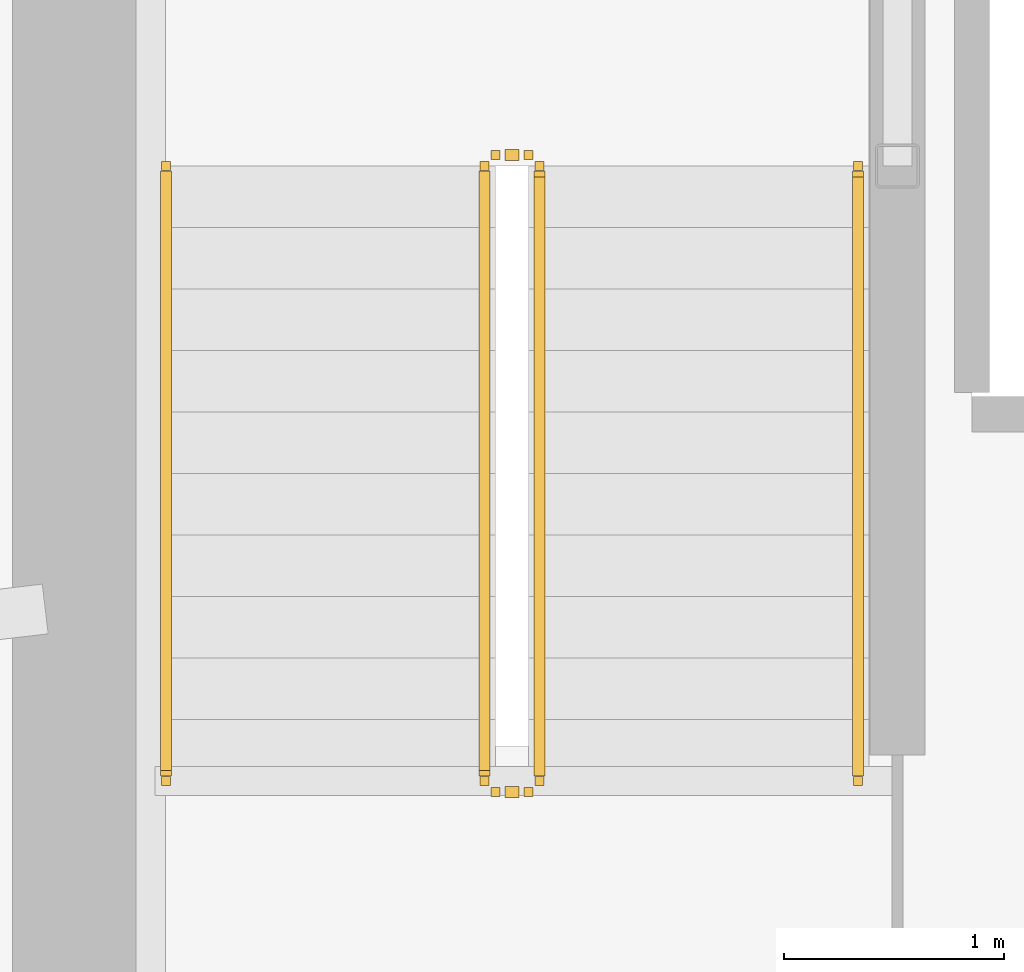
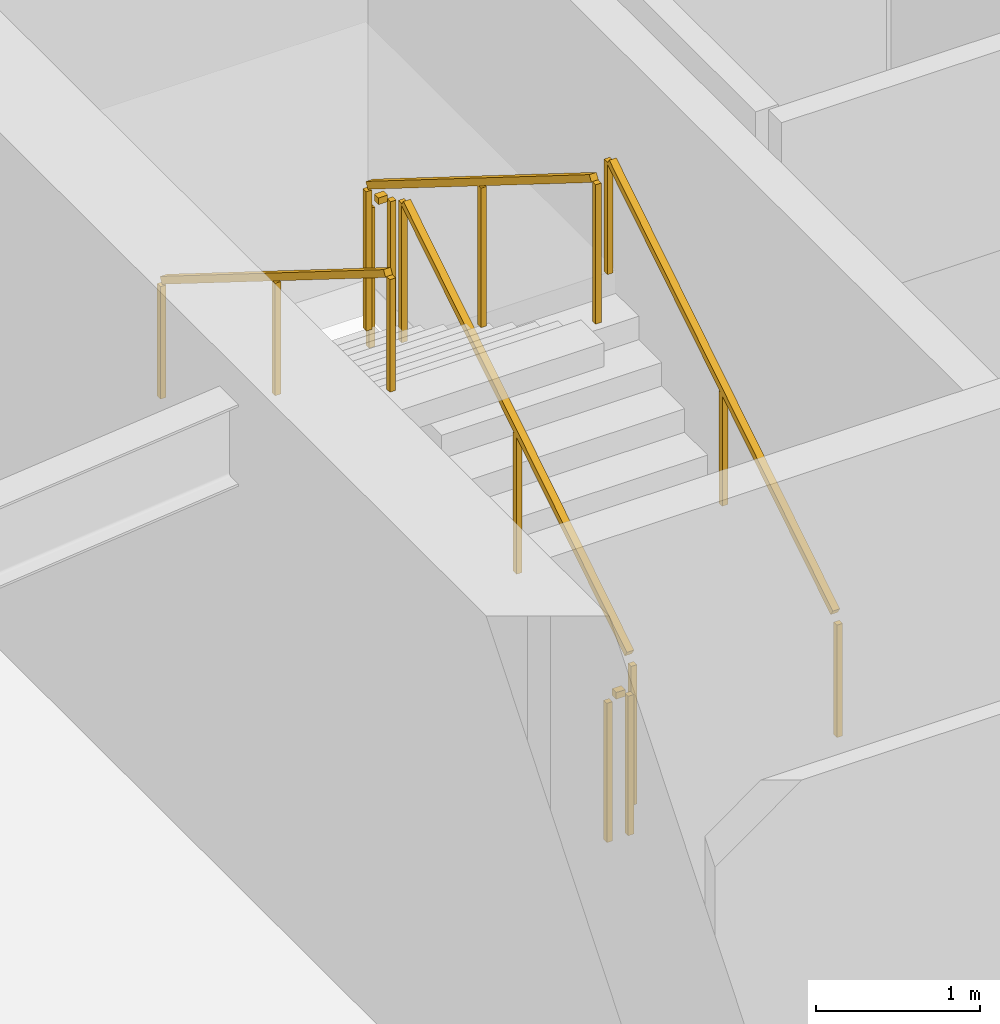
# One storey, part 26 of 31: 6 railings.
"""IFC4 building model written with IfcOpenShell, lengths in metres."""

from ifc_helpers import new_model, si_unit, direction, frame, origin, origin_2d, place, context, subcontext, project, spatial, rectangle, extrude, material, type_object, element, save


model = new_model("IFC4")

# Units and contexts
model_context = context("Model", 3, precision=1e-05, world=origin(), true_north=direction((0.0, 1.0)))
body_context = subcontext(model_context, "Body", "Model", "MODEL_VIEW")
ifc_project = project(units=[si_unit("LENGTHUNIT", "METRE"), si_unit("AREAUNIT", "SQUARE_METRE"), si_unit("VOLUMEUNIT", "CUBIC_METRE"), si_unit("PLANEANGLEUNIT", "RADIAN"), si_unit("MASSUNIT", "GRAM", prefix="KILO")], contexts=[model_context])

# Site, building, storey
site_placement = place(None, origin())
site = spatial("IfcSite", under=ifc_project, at=site_placement, CompositionType="ELEMENT")
building_placement = place(site_placement, origin())
building = spatial("IfcBuilding", under=site, at=building_placement, Name="Kazma Halo Residences", CompositionType="ELEMENT")
storey_placement = place(building_placement, frame((0.0, 0.0, 248.25)))
storey = spatial("IfcBuildingStorey", under=building, at=storey_placement, Name="L62", CompositionType="ELEMENT", Elevation=248.25)

# Railings
ifc_material_1 = material(Name="Painted Steel S355", Category="steel")
railing_type_1 = type_object("IfcRailingType", Name="RLG-STAIR-GRD-1100", PredefinedType="GUARDRAIL", material=ifc_material_1)
railing_1_placement = place(storey_placement, frame((39.550048828125, 39.949951171875, 0.175048828125)))
element("IfcRailing", 1, at=railing_1_placement, inside=storey, type_object=railing_type_1, Name="L62 ST-01 stair guard 1", PredefinedType="GUARDRAIL", context=body_context, shape_type="SweptSolid", body=[
    extrude(rectangle(XDim=0.050048828125, YDim=0.050048828125, at=origin_2d()), frame((0.0, 0.0361328125, 1.09765625), z_axis=(0.0, 0.848002457836, 0.529992293815), x_axis=(-1.0, 0.0, 0.0)), (0.0, 0.0, 1.0), 3.216796875),
    extrude(rectangle(XDim=0.0400390625, YDim=0.0400390625, at=origin_2d()), origin(), (0.0, 0.0, 1.0), 1.0380859375),
    extrude(rectangle(XDim=0.0400390625, YDim=0.0400390625, at=origin_2d()), frame((0.0, 1.39990234375, 0.875)), (0.0, 0.0, 1.0), 1.0380859375),
    extrude(rectangle(XDim=0.0400390625, YDim=0.0400390625, at=origin_2d()), frame((0.0, 2.800048828125, 1.75)), (0.0, 0.0, 1.0), 1.0380859375),
])
railing_2_placement = place(storey_placement, frame((39.5, 42.800048828125, 1.925048828125)))
element("IfcRailing", 2, at=railing_2_placement, inside=storey, type_object=railing_type_1, Name="L62 ST-01 stair guard 2", PredefinedType="GUARDRAIL", context=body_context, shape_type="SweptSolid", body=[
    extrude(rectangle(XDim=0.050048828125, YDim=0.050048828125, at=origin_2d()), frame((-0.04248046875, 0.0, 1.0751953125), z_axis=(-1.0, 0.0, 0.0), x_axis=(0.0, -1.0, 0.0)), (0.0, 0.0, 1.0), 0.06494140625),
    extrude(rectangle(XDim=0.0400390625, YDim=0.0400390625, at=origin_2d()), origin(), (0.0, 0.0, 1.0), 1.0380859375),
    extrude(rectangle(XDim=0.0400390625, YDim=0.0400390625, at=origin_2d()), frame((-0.14990234375, 0.0, 0.0)), (0.0, 0.0, 1.0), 1.0380859375),
])
railing_3_placement = place(storey_placement, frame((39.300048828125, 42.75, 2.10009765625)))
element("IfcRailing", 3, at=railing_3_placement, inside=storey, type_object=railing_type_1, Name="L62 ST-01 stair guard 3", PredefinedType="GUARDRAIL", context=body_context, shape_type="SweptSolid", body=[
    extrude(rectangle(XDim=0.050048828125, YDim=0.050048828125, at=origin_2d()), frame((0.0, -0.0361328125, 1.09765625), z_axis=(0.0, -0.848002457836, 0.529992293815), x_axis=(1.0, 0.0, 0.0)), (0.0, 0.0, 1.0), 3.216796875),
    extrude(rectangle(XDim=0.0400390625, YDim=0.0400390625, at=origin_2d()), origin(), (0.0, 0.0, 1.0), 1.0380859375),
    extrude(rectangle(XDim=0.0400390625, YDim=0.0400390625, at=origin_2d()), frame((0.0, -1.39990234375, 0.875)), (0.0, 0.0, 1.0), 1.0380859375),
    extrude(rectangle(XDim=0.0400390625, YDim=0.0400390625, at=origin_2d()), frame((0.0, -2.800048828125, 1.75)), (0.0, 0.0, 1.0), 1.0380859375),
])
railing_4_placement = place(storey_placement, frame((39.5, 39.89990234375, 0.0)))
element("IfcRailing", 4, at=railing_4_placement, inside=storey, type_object=railing_type_1, Name="L62 ST-01 stair guard 4", PredefinedType="GUARDRAIL", context=body_context, shape_type="SweptSolid", body=[
    extrude(rectangle(XDim=0.050048828125, YDim=0.050048828125, at=origin_2d()), frame((-0.04248046875, 0.0, 1.0751953125), z_axis=(-1.0, 0.0, 0.0), x_axis=(0.0, -1.0, 0.0)), (0.0, 0.0, 1.0), 0.06494140625),
    extrude(rectangle(XDim=0.0400390625, YDim=0.0400390625, at=origin_2d()), origin(), (0.0, 0.0, 1.0), 1.0380859375),
    extrude(rectangle(XDim=0.0400390625, YDim=0.0400390625, at=origin_2d()), frame((-0.14990234375, 0.0, 0.0)), (0.0, 0.0, 1.0), 1.0380859375),
])
ifc_material_2 = material(Name="Brushed Stainless Steel", Category="steel")
railing_type_2 = type_object("IfcRailingType", Name="RLG-STAIR-HND-900", PredefinedType="HANDRAIL", material=ifc_material_2)
railing_5_placement = place(storey_placement, frame((41.0, 39.949951171875, 0.175048828125)))
element("IfcRailing", 5, at=railing_5_placement, inside=storey, type_object=railing_type_2, Name="L62 ST-01 stair handrail 1", PredefinedType="HANDRAIL", context=body_context, shape_type="SweptSolid", body=[
    extrude(rectangle(XDim=0.050048828125, YDim=0.050048828125, at=origin_2d()), frame((0.0, 0.0361328125, 0.8974609375), z_axis=(0.0, 0.848002457836, 0.529992293815), x_axis=(-1.0, 0.0, 0.0)), (0.0, 0.0, 1.0), 3.216796875),
    extrude(rectangle(XDim=0.0400390625, YDim=0.0400390625, at=origin_2d()), origin(), (0.0, 0.0, 1.0), 0.837890625),
    extrude(rectangle(XDim=0.0400390625, YDim=0.0400390625, at=origin_2d()), frame((0.0, 1.39990234375, 0.875)), (0.0, 0.0, 1.0), 0.837890625),
    extrude(rectangle(XDim=0.0400390625, YDim=0.0400390625, at=origin_2d()), frame((0.0, 2.800048828125, 1.75)), (0.0, 0.0, 1.0), 0.837890625),
])
railing_6_placement = place(storey_placement, frame((37.85009765625, 42.75, 2.10009765625)))
element("IfcRailing", 6, at=railing_6_placement, inside=storey, type_object=railing_type_2, Name="L62 ST-01 stair handrail 2", PredefinedType="HANDRAIL", context=body_context, shape_type="SweptSolid", body=[
    extrude(rectangle(XDim=0.050048828125, YDim=0.050048828125, at=origin_2d()), frame((0.0, -0.0361328125, 0.8974609375), z_axis=(0.0, -0.848002457836, 0.529992293815), x_axis=(1.0, 0.0, 0.0)), (0.0, 0.0, 1.0), 3.216796875),
    extrude(rectangle(XDim=0.0400390625, YDim=0.0400390625, at=origin_2d()), origin(), (0.0, 0.0, 1.0), 0.837890625),
    extrude(rectangle(XDim=0.0400390625, YDim=0.0400390625, at=origin_2d()), frame((0.0, -1.39990234375, 0.875)), (0.0, 0.0, 1.0), 0.837890625),
    extrude(rectangle(XDim=0.0400390625, YDim=0.0400390625, at=origin_2d()), frame((0.0, -2.800048828125, 1.75)), (0.0, 0.0, 1.0), 0.837890625),
])

save(model, "model.ifc")
